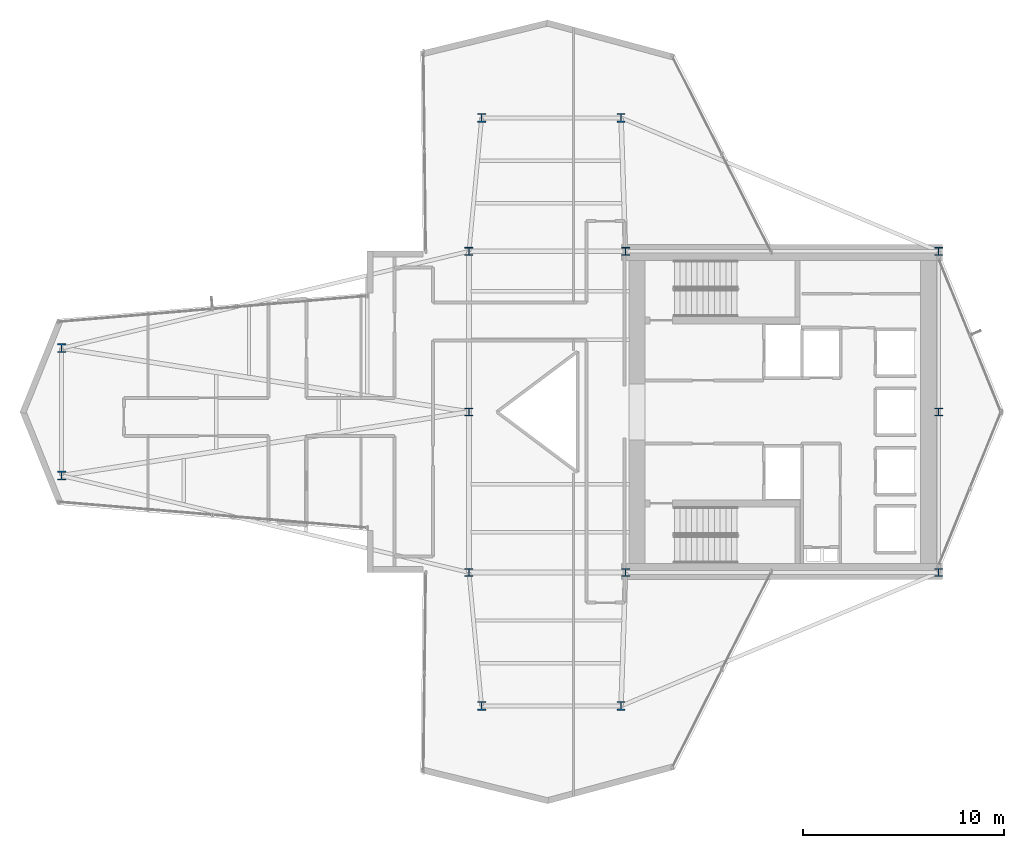
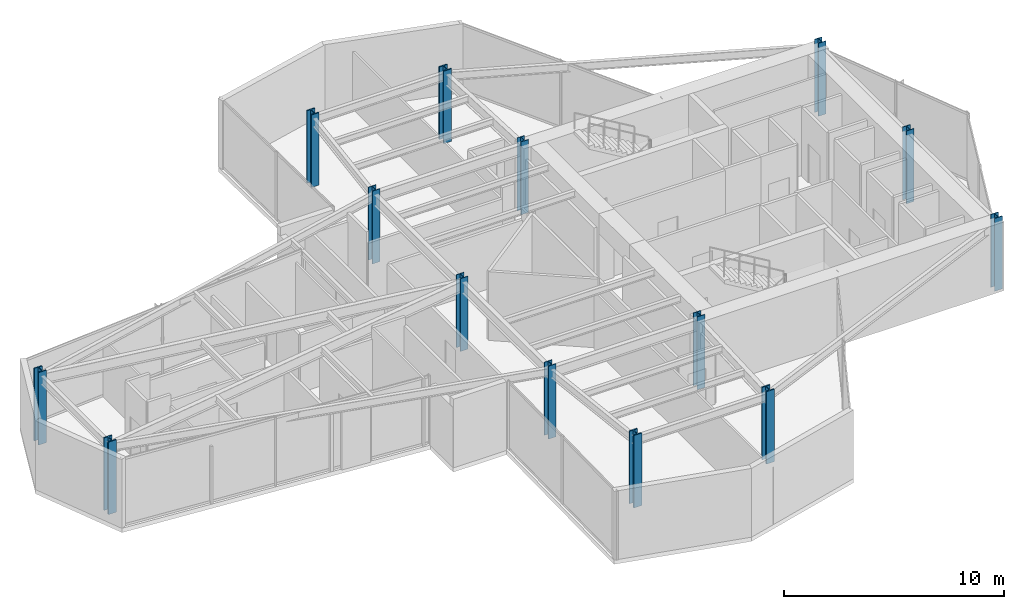
# One storey, part 1 of 26: 14 columns.
"""IFC4 building model written with IfcOpenShell, lengths in metres."""

from ifc_helpers import new_model, si_unit, direction, frame, origin, origin_2d, place, context, subcontext, project, spatial, i_section, extrude, material, material_profile, profile_set, type_object, element, save


model = new_model("IFC4")

# Units and contexts
model_context = context("Model", 3, precision=1e-05, world=origin(), true_north=direction((0.0, 1.0)))
body_context = subcontext(model_context, "Body", "Model", "MODEL_VIEW")
ifc_project = project(units=[si_unit("LENGTHUNIT", "METRE"), si_unit("AREAUNIT", "SQUARE_METRE"), si_unit("VOLUMEUNIT", "CUBIC_METRE"), si_unit("PLANEANGLEUNIT", "RADIAN"), si_unit("MASSUNIT", "GRAM", prefix="KILO")], contexts=[model_context])

# Site, building, storey
site_placement = place(None, origin())
site = spatial("IfcSite", under=ifc_project, at=site_placement, CompositionType="ELEMENT")
building_placement = place(site_placement, origin())
building = spatial("IfcBuilding", under=site, at=building_placement, Name="Veymaron Broadcast Tower", CompositionType="ELEMENT")
storey_placement = place(building_placement, frame((0.0, 0.0, 133.050048828125)))
storey = spatial("IfcBuildingStorey", under=building, at=storey_placement, Name="L30", CompositionType="ELEMENT", Elevation=133.050048828125)

# Columns
ifc_material_1 = material(Name="Structural steel ASTM A992 Gr 50", Category="steel")
ifc_material_profile_1 = material_profile(ifc_material_1, i_section(OverallWidth=0.39794921875, OverallDepth=0.386962890625, WebThickness=0.02099609375, FlangeThickness=0.033203125, at=origin_2d()), Name="W360X262")
ifc_profile_set_1 = profile_set([ifc_material_profile_1], Name="Structural steel ASTM A992 Gr 50")
column_type_1 = type_object("IfcColumnType", Name="COL-HC2", PredefinedType="COLUMN", material=ifc_profile_set_1)
for number, where, z_axis, x_axis, name in (
    (1, (31.199951171875, 16.0, 0.0), (0.0, 0.0, 1.0), (1.0, 0.0, 0.0), "L30 structural hub and core column"),
    (2, (31.199951171875, 24.0, 0.0), (0.0, 0.0, 1.0), (1.0, 0.0, 0.0), "L30 structural hub and core column"),
    (3, (31.199951171875, 32.0, 0.0), (0.0, 0.0, 1.0), (1.0, 0.0, 0.0), "L30 structural hub and core column"),
    (4, (39.0, 16.0, 0.0), (0.0, 0.0, 1.0), (1.0, 0.0, 0.0), "L30 structural hub and core column"),
    (5, (39.0, 32.0, 0.0), (0.0, 0.0, 1.0), (1.0, 0.0, 0.0), "L30 structural hub and core column"),
    (6, (54.60009765625, 16.0, 0.0), (0.0, 0.0, 1.0), (1.0, 0.0, 0.0), "L30 structural hub and core column"),
    (7, (54.60009765625, 24.0, 0.0), (0.0, 0.0, 1.0), (1.0, 0.0, 0.0), "L30 structural hub and core column"),
    (8, (54.60009765625, 32.0, 0.0), (0.0, 0.0, 1.0), (1.0, 0.0, 0.0), "L30 structural hub and core column"),
):
    element("IfcColumn", number, at=place(storey_placement, frame(where, z_axis=z_axis, x_axis=x_axis)), inside=storey, type_object=column_type_1, Name=name, PredefinedType="COLUMN", context=body_context, shape_type="SweptSolid", body=[
        extrude(i_section(OverallWidth=0.39794921875, OverallDepth=0.386962890625, WebThickness=0.02099609375, FlangeThickness=0.033203125, at=origin_2d()), origin(), (0.0, 0.0, 1.0), 4.0439453125),
    ])
ifc_material_2 = material(Name="Structural steel ASTM A913 Gr 65", Category="steel")
ifc_material_profile_2 = material_profile(ifc_material_2, i_section(OverallWidth=0.41796875, OverallDepth=0.455078125, WebThickness=0.0419921875, FlangeThickness=0.067626953125, at=origin_2d()), Name="W360X551")
ifc_profile_set_2 = profile_set([ifc_material_profile_2], Name="Structural steel ASTM A913 Gr 65")
column_type_2 = type_object("IfcColumnType", Name="COL-MC2", PredefinedType="COLUMN", material=ifc_profile_set_2)
for number, where, z_axis, x_axis, name in (
    (9, (10.905029296875, 20.824951171875, 0.015869140625), (0.0, 0.0, 1.0), (1.0, 0.0, 0.0), "L30 Tapered Wing Mega Column"),
    (10, (10.905029296875, 27.175048828125, 0.015869140625), (0.0, 0.0, 1.0), (1.0, 0.0, 0.0), "L30 Tapered Wing Mega Column"),
    (11, (31.830078125, 38.64990234375, 0.015869140625), (0.0, 0.0, 1.0), (1.0, 0.0, 0.0), "L30 Tapered Wing Mega Column"),
    (12, (38.77490234375, 38.64990234375, 0.015869140625), (0.0, 0.0, 1.0), (1.0, 0.0, 0.0), "L30 Tapered Wing Mega Column"),
    (13, (31.830078125, 9.35009765625, 0.015869140625), (0.0, 0.0, 1.0), (1.0, 0.0, 0.0), "L30 Tapered Wing Mega Column"),
    (14, (38.77490234375, 9.35009765625, 0.015869140625), (0.0, 0.0, 1.0), (1.0, 0.0, 0.0), "L30 Tapered Wing Mega Column"),
):
    element("IfcColumn", number, at=place(storey_placement, frame(where, z_axis=z_axis, x_axis=x_axis)), inside=storey, type_object=column_type_2, Name=name, PredefinedType="COLUMN", context=body_context, shape_type="SweptSolid", body=[
        extrude(i_section(OverallWidth=0.41796875, OverallDepth=0.455078125, WebThickness=0.0419921875, FlangeThickness=0.067626953125, at=origin_2d()), origin(), (0.0, 0.0, 1.0), 4.01806640625),
    ])

save(model, "model.ifc")
